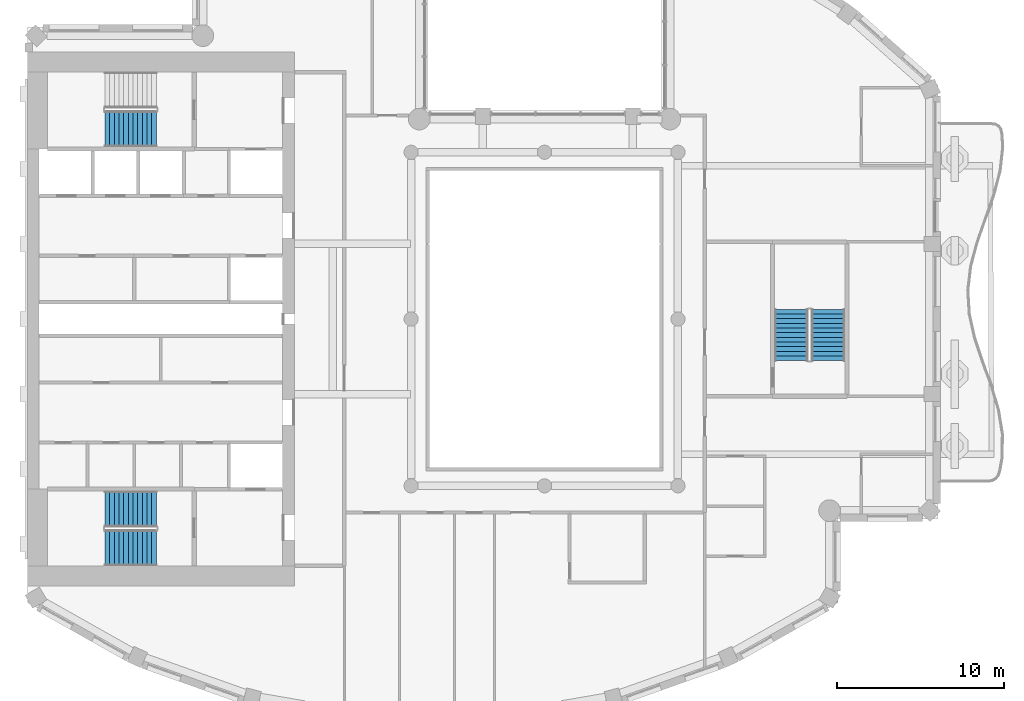
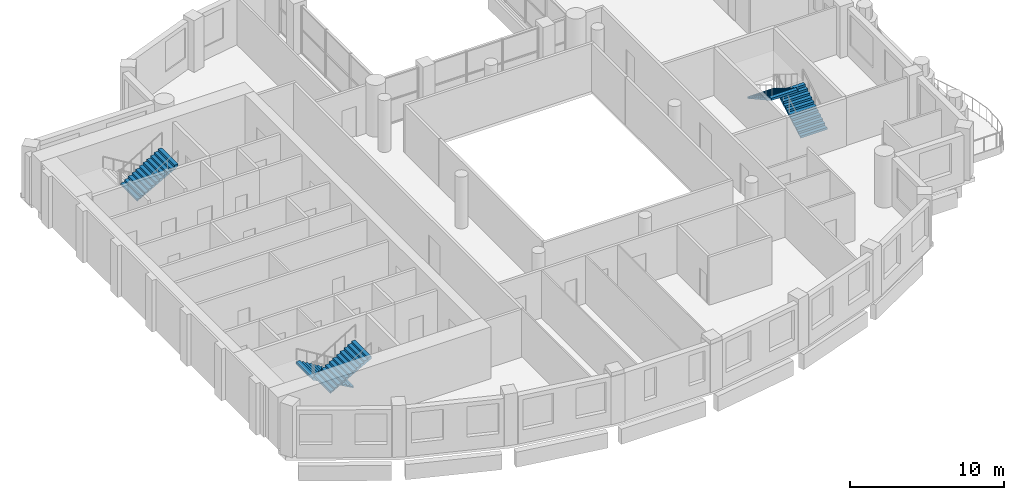
# One storey, part 9 of 15: 5 stair flights, 3 elements without a shape of their own.
"""IFC4 building model written with IfcOpenShell, lengths in metres."""

from ifc_helpers import new_model, si_unit, direction, frame, origin, place, context, subcontext, project, spatial, triangles, material, type_object, element, aggregate, save


model = new_model("IFC4")

# Units and contexts
model_context = context("Model", 3, precision=1e-05, world=origin(), true_north=direction((0.0, 1.0)))
body_context = subcontext(model_context, "Body", "Model", "MODEL_VIEW")
ifc_project = project(units=[si_unit("LENGTHUNIT", "METRE"), si_unit("AREAUNIT", "SQUARE_METRE"), si_unit("VOLUMEUNIT", "CUBIC_METRE"), si_unit("PLANEANGLEUNIT", "RADIAN"), si_unit("MASSUNIT", "GRAM", prefix="KILO")], contexts=[model_context])

# Site, building, storey
site_placement = place(None, origin())
site = spatial("IfcSite", under=ifc_project, at=site_placement, CompositionType="ELEMENT")
building_placement = place(site_placement, origin())
building = spatial("IfcBuilding", under=site, at=building_placement, Name="Cypress Arch Tower", CompositionType="ELEMENT")
storey_placement = place(building_placement, frame((0.0, 0.0, 292.60009765625)))
storey = spatial("IfcBuildingStorey", under=building, at=storey_placement, Name="L66", CompositionType="ELEMENT", Elevation=292.60009765625)

# Stair, stair flights
ifc_material_1 = material(Name="Concrete C40/50", Category="concrete")
stair_type_1 = type_object("IfcStairType", Name="Exit stair ES1708-200", PredefinedType="HALF_TURN_STAIR", material=ifc_material_1)
stair_1_placement = place(storey_placement, origin())
stair_1 = element("IfcStair", 1, at=stair_1_placement, inside=storey, type_object=stair_type_1, Name="L66 Exit stair C", PredefinedType="HALF_TURN_STAIR")
ifc_material_2 = material(Name="Concrete C40/50", Category="concrete")
stair_flight_type_1 = type_object("IfcStairFlightType", Name="Exit stair flight ES1708-200", PredefinedType="STRAIGHT", material=ifc_material_2)
stair_flight_1_placement = place(storey_placement, frame((18.0, -2.5, 0.0), z_axis=(0.0, 0.0, 1.0), x_axis=(0.0, 1.0, 0.0)))
stair_flight_1 = element("IfcStairFlight", 2, at=stair_flight_1_placement, type_object=stair_flight_type_1, Name="C flight 1", NumberOfRisers=12, NumberOfTreads=11, PredefinedType="STRAIGHT", RiserHeight=0.170833333, TreadLength=0.28, context=body_context, shape_type="Tessellation", body=[
    triangles([(0.0, -1.0, 0.0), (0.0, -1.0, 0.1708984375), (0.280029296875, -1.0, 0.1708984375), (0.280029296875, -1.0, 0.341552734375), (0.56005859375, -1.0, 0.341552734375), (0.56005859375, -1.0, 0.512451171875), (0.840087890625, -1.0, 0.512451171875), (0.840087890625, -1.0, 0.683349609375), (1.1201171875, -1.0, 0.683349609375), (1.1201171875, -1.0, 0.854248046875), (1.39990234375, -1.0, 0.854248046875), (1.39990234375, -1.0, 1.02490234375), (1.679931640625, -1.0, 1.02490234375), (1.679931640625, -1.0, 1.19580078125), (1.9599609375, -1.0, 1.19580078125), (1.9599609375, -1.0, 1.36669921875), (2.239990234375, -1.0, 1.36669921875), (2.239990234375, -1.0, 1.53759765625), (2.52001953125, -1.0, 1.53759765625), (2.52001953125, -1.0, 1.708251953125), (2.800048828125, -1.0, 1.708251953125), (2.800048828125, -1.0, 1.879150390625), (3.080078125, -1.0, 1.879150390625), (3.080078125, -1.0, 1.70361328125), (3.080078125, 1.0, 1.70361328125), (3.080078125, 1.0, 1.879150390625), (2.800048828125, 1.0, 1.879150390625), (2.800048828125, 1.0, 1.708251953125), (2.52001953125, 1.0, 1.708251953125), (2.52001953125, 1.0, 1.53759765625), (2.239990234375, 1.0, 1.53759765625), (2.239990234375, 1.0, 1.36669921875), (1.9599609375, 1.0, 1.36669921875), (1.9599609375, 1.0, 1.19580078125), (1.679931640625, 1.0, 1.19580078125), (1.679931640625, 1.0, 1.02490234375), (1.39990234375, 1.0, 1.02490234375), (1.39990234375, 1.0, 0.854248046875), (1.1201171875, 1.0, 0.854248046875), (1.1201171875, 1.0, 0.683349609375), (0.840087890625, 1.0, 0.683349609375), (0.840087890625, 1.0, 0.512451171875), (0.56005859375, 1.0, 0.512451171875), (0.56005859375, 1.0, 0.341552734375), (0.280029296875, 1.0, 0.341552734375), (0.280029296875, 1.0, 0.1708984375), (0.0, 1.0, 0.1708984375), (0.0, 1.0, 0.0), (3.080078125, 0.0, 1.879150390625), (3.080078125, 0.0, 1.70361328125), (2.800048828125, 0.0, 1.879150390625), (2.800048828125, 0.0, 1.708251953125), (2.52001953125, 0.0, 1.708251953125), (2.52001953125, 0.0, 1.53759765625), (2.239990234375, 0.0, 1.53759765625), (2.239990234375, 0.0, 1.36669921875), (1.9599609375, 0.0, 1.36669921875), (1.9599609375, 0.0, 1.19580078125), (1.679931640625, 0.0, 1.19580078125), (1.679931640625, 0.0, 1.02490234375), (1.39990234375, 0.0, 1.02490234375), (1.39990234375, 0.0, 0.854248046875), (1.1201171875, 0.0, 0.854248046875), (1.1201171875, 0.0, 0.683349609375), (0.840087890625, 0.0, 0.683349609375), (0.840087890625, 0.0, 0.512451171875), (0.56005859375, 0.0, 0.512451171875), (0.56005859375, 0.0, 0.341552734375), (0.280029296875, 0.0, 0.341552734375), (0.280029296875, 0.0, 0.1708984375), (0.0, 0.0, 0.1708984375), (0.0, 0.0, 0.0)], [[24, 23, 22], [11, 10, 9], [19, 18, 17], [17, 16, 15], [15, 14, 13], [9, 8, 7], [7, 6, 5], [3, 2, 1], [21, 20, 19], [13, 12, 11], [5, 4, 3], [24, 22, 21], [24, 21, 19], [24, 19, 17], [24, 17, 15], [24, 15, 13], [24, 13, 11], [24, 11, 9], [24, 9, 7], [24, 7, 5], [1, 24, 5], [5, 3, 1], [25, 27, 26], [38, 40, 39], [30, 32, 31], [32, 34, 33], [34, 36, 35], [40, 42, 41], [42, 44, 43], [46, 48, 47], [28, 30, 29], [36, 38, 37], [44, 46, 45], [25, 28, 27], [25, 30, 28], [25, 32, 30], [25, 34, 32], [25, 36, 34], [25, 38, 36], [25, 40, 38], [25, 42, 40], [25, 44, 42], [48, 44, 25], [44, 48, 46], [50, 49, 23], [50, 23, 24], [25, 26, 49], [25, 49, 50], [49, 51, 22], [49, 22, 23], [26, 27, 51], [26, 51, 49], [51, 52, 21], [51, 21, 22], [27, 28, 52], [27, 52, 51], [52, 53, 20], [52, 20, 21], [28, 29, 53], [28, 53, 52], [53, 54, 19], [53, 19, 20], [29, 30, 54], [29, 54, 53], [54, 55, 18], [54, 18, 19], [30, 31, 55], [30, 55, 54], [55, 56, 17], [55, 17, 18], [31, 32, 56], [31, 56, 55], [56, 57, 16], [56, 16, 17], [32, 33, 57], [32, 57, 56], [57, 58, 15], [57, 15, 16], [33, 34, 58], [33, 58, 57], [58, 59, 14], [58, 14, 15], [34, 35, 59], [34, 59, 58], [59, 60, 13], [59, 13, 14], [35, 36, 60], [35, 60, 59], [60, 61, 12], [60, 12, 13], [36, 37, 61], [36, 61, 60], [61, 62, 11], [61, 11, 12], [37, 38, 62], [37, 62, 61], [62, 63, 10], [62, 10, 11], [38, 39, 63], [38, 63, 62], [63, 64, 9], [63, 9, 10], [39, 40, 64], [39, 64, 63], [64, 65, 8], [64, 8, 9], [40, 41, 65], [40, 65, 64], [65, 66, 7], [65, 7, 8], [41, 42, 66], [41, 66, 65], [66, 67, 6], [66, 6, 7], [42, 43, 67], [42, 67, 66], [67, 68, 5], [67, 5, 6], [43, 44, 68], [43, 68, 67], [68, 69, 4], [68, 4, 5], [44, 45, 69], [44, 69, 68], [69, 70, 3], [69, 3, 4], [45, 46, 70], [45, 70, 69], [70, 71, 2], [70, 2, 3], [46, 47, 71], [46, 71, 70], [71, 72, 1], [71, 1, 2], [47, 48, 72], [47, 72, 71], [72, 50, 24], [72, 24, 1], [48, 25, 50], [48, 50, 72]], closed=True),
])
stair_flight_2_placement = place(storey_placement, frame((15.800048828125, 0.580078125, 2.0498046875), z_axis=(0.0, 0.0, 1.0), x_axis=(0.0, -1.0, 0.0)))
stair_flight_2 = element("IfcStairFlight", 3, at=stair_flight_2_placement, type_object=stair_flight_type_1, Name="C flight 2", NumberOfRisers=12, NumberOfTreads=11, PredefinedType="STRAIGHT", RiserHeight=0.170833333, TreadLength=0.28, context=body_context, shape_type="Tessellation", body=[
    triangles([(0.0, -1.0, 0.0), (0.0, -1.0, 0.1708984375), (0.280029296875, -1.0, 0.1708984375), (0.280029296875, -1.0, 0.341552734375), (0.56005859375, -1.0, 0.341552734375), (0.56005859375, -1.0, 0.512451171875), (0.840087890625, -1.0, 0.512451171875), (0.840087890625, -1.0, 0.683349609375), (1.1201171875, -1.0, 0.683349609375), (1.1201171875, -1.0, 0.854248046875), (1.39990234375, -1.0, 0.854248046875), (1.39990234375, -1.0, 1.02490234375), (1.679931640625, -1.0, 1.02490234375), (1.679931640625, -1.0, 1.19580078125), (1.9599609375, -1.0, 1.19580078125), (1.9599609375, -1.0, 1.36669921875), (2.239990234375, -1.0, 1.36669921875), (2.239990234375, -1.0, 1.53759765625), (2.52001953125, -1.0, 1.53759765625), (2.52001953125, -1.0, 1.708251953125), (2.800048828125, -1.0, 1.708251953125), (2.800048828125, -1.0, 1.879150390625), (3.080078125, -1.0, 1.879150390625), (3.080078125, -1.0, 1.70361328125), (3.080078125, 1.0, 1.70361328125), (3.080078125, 1.0, 1.879150390625), (2.800048828125, 1.0, 1.879150390625), (2.800048828125, 1.0, 1.708251953125), (2.52001953125, 1.0, 1.708251953125), (2.52001953125, 1.0, 1.53759765625), (2.239990234375, 1.0, 1.53759765625), (2.239990234375, 1.0, 1.36669921875), (1.9599609375, 1.0, 1.36669921875), (1.9599609375, 1.0, 1.19580078125), (1.679931640625, 1.0, 1.19580078125), (1.679931640625, 1.0, 1.02490234375), (1.39990234375, 1.0, 1.02490234375), (1.39990234375, 1.0, 0.854248046875), (1.1201171875, 1.0, 0.854248046875), (1.1201171875, 1.0, 0.683349609375), (0.840087890625, 1.0, 0.683349609375), (0.840087890625, 1.0, 0.512451171875), (0.56005859375, 1.0, 0.512451171875), (0.56005859375, 1.0, 0.341552734375), (0.280029296875, 1.0, 0.341552734375), (0.280029296875, 1.0, 0.1708984375), (0.0, 1.0, 0.1708984375), (0.0, 1.0, 0.0), (3.080078125, 0.0, 1.879150390625), (3.080078125, 0.0, 1.70361328125), (2.800048828125, 0.0, 1.879150390625), (2.800048828125, 0.0, 1.708251953125), (2.52001953125, 0.0, 1.708251953125), (2.52001953125, 0.0, 1.53759765625), (2.239990234375, 0.0, 1.53759765625), (2.239990234375, 0.0, 1.36669921875), (1.9599609375, 0.0, 1.36669921875), (1.9599609375, 0.0, 1.19580078125), (1.679931640625, 0.0, 1.19580078125), (1.679931640625, 0.0, 1.02490234375), (1.39990234375, 0.0, 1.02490234375), (1.39990234375, 0.0, 0.854248046875), (1.1201171875, 0.0, 0.854248046875), (1.1201171875, 0.0, 0.683349609375), (0.840087890625, 0.0, 0.683349609375), (0.840087890625, 0.0, 0.512451171875), (0.56005859375, 0.0, 0.512451171875), (0.56005859375, 0.0, 0.341552734375), (0.280029296875, 0.0, 0.341552734375), (0.280029296875, 0.0, 0.1708984375), (0.0, 0.0, 0.1708984375), (0.0, 0.0, 0.0)], [[24, 23, 22], [11, 10, 9], [19, 18, 17], [17, 16, 15], [15, 14, 13], [9, 8, 7], [7, 6, 5], [3, 2, 1], [21, 20, 19], [13, 12, 11], [5, 4, 3], [24, 22, 21], [24, 21, 19], [24, 19, 17], [24, 17, 15], [24, 15, 13], [24, 13, 11], [24, 11, 9], [24, 9, 7], [24, 7, 5], [1, 24, 5], [5, 3, 1], [25, 27, 26], [38, 40, 39], [30, 32, 31], [32, 34, 33], [34, 36, 35], [40, 42, 41], [42, 44, 43], [46, 48, 47], [28, 30, 29], [36, 38, 37], [44, 46, 45], [25, 28, 27], [25, 30, 28], [25, 32, 30], [25, 34, 32], [25, 36, 34], [25, 38, 36], [25, 40, 38], [25, 42, 40], [25, 44, 42], [48, 44, 25], [44, 48, 46], [50, 49, 23], [50, 23, 24], [25, 26, 49], [25, 49, 50], [49, 51, 22], [49, 22, 23], [26, 27, 51], [26, 51, 49], [51, 52, 21], [51, 21, 22], [27, 28, 52], [27, 52, 51], [52, 53, 20], [52, 20, 21], [28, 29, 53], [28, 53, 52], [53, 54, 19], [53, 19, 20], [29, 30, 54], [29, 54, 53], [54, 55, 18], [54, 18, 19], [30, 31, 55], [30, 55, 54], [55, 56, 17], [55, 17, 18], [31, 32, 56], [31, 56, 55], [56, 57, 16], [56, 16, 17], [32, 33, 57], [32, 57, 56], [57, 58, 15], [57, 15, 16], [33, 34, 58], [33, 58, 57], [58, 59, 14], [58, 14, 15], [34, 35, 59], [34, 59, 58], [59, 60, 13], [59, 13, 14], [35, 36, 60], [35, 60, 59], [60, 61, 12], [60, 12, 13], [36, 37, 61], [36, 61, 60], [61, 62, 11], [61, 11, 12], [37, 38, 62], [37, 62, 61], [62, 63, 10], [62, 10, 11], [38, 39, 63], [38, 63, 62], [63, 64, 9], [63, 9, 10], [39, 40, 64], [39, 64, 63], [64, 65, 8], [64, 8, 9], [40, 41, 65], [40, 65, 64], [65, 66, 7], [65, 7, 8], [41, 42, 66], [41, 66, 65], [66, 67, 6], [66, 6, 7], [42, 43, 67], [42, 67, 66], [67, 68, 5], [67, 5, 6], [43, 44, 68], [43, 68, 67], [68, 69, 4], [68, 4, 5], [44, 45, 69], [44, 69, 68], [69, 70, 3], [69, 3, 4], [45, 46, 70], [45, 70, 69], [70, 71, 2], [70, 2, 3], [46, 47, 71], [46, 71, 70], [71, 72, 1], [71, 1, 2], [47, 48, 72], [47, 72, 71], [72, 50, 24], [72, 24, 1], [48, 25, 50], [48, 50, 72]], closed=True),
])
aggregate(stair_1, [stair_flight_1, stair_flight_2])

ifc_material_3 = material(Name="Concrete C40/50", Category="concrete")
stair_type_2 = type_object("IfcStairType", Name="Exit stair ES1708-215", PredefinedType="HALF_TURN_STAIR", material=ifc_material_3)
stair_2_placement = place(storey_placement, origin())
stair_2 = element("IfcStair", 4, at=stair_2_placement, inside=storey, type_object=stair_type_2, Name="L66 Exit stair A", PredefinedType="HALF_TURN_STAIR")
ifc_material_4 = material(Name="Concrete C40/50", Category="concrete")
stair_flight_type_2 = type_object("IfcStairFlightType", Name="Exit stair flight ES1708-215", PredefinedType="STRAIGHT", material=ifc_material_4)
stair_flight_3_placement = place(storey_placement, frame((-22.27490234375, -11.39990234375, 0.0), z_axis=(0.0, 0.0, 1.0), x_axis=(-1.0, 0.0, 0.0)))
stair_flight_3 = element("IfcStairFlight", 5, at=stair_flight_3_placement, type_object=stair_flight_type_2, Name="A flight 1", NumberOfRisers=12, NumberOfTreads=11, PredefinedType="STRAIGHT", RiserHeight=0.170833333, TreadLength=0.28, context=body_context, shape_type="Tessellation", body=[
    triangles([(0.0, -1.074951171875, 0.0), (0.000244140625, -1.074951171875, 0.01904296875), (0.000244140625, -1.074951171875, 0.0380859375), (0.00048828125, -1.074951171875, 0.056884765625), (0.00048828125, -1.074951171875, 0.075927734375), (0.00048828125, -1.074951171875, 0.094970703125), (0.00048828125, -1.074951171875, 0.114013671875), (0.000244140625, -1.074951171875, 0.1328125), (0.000244140625, -1.074951171875, 0.15185546875), (0.0, -1.074951171875, 0.1708984375), (0.280029296875, -1.074951171875, 0.1708984375), (0.280029296875, -1.074951171875, 0.341552734375), (0.56005859375, -1.074951171875, 0.341552734375), (0.56005859375, -1.074951171875, 0.512451171875), (0.840087890625, -1.074951171875, 0.512451171875), (0.840087890625, -1.074951171875, 0.683349609375), (1.1201171875, -1.074951171875, 0.683349609375), (1.1201171875, -1.074951171875, 0.854248046875), (1.39990234375, -1.074951171875, 0.854248046875), (1.39990234375, -1.074951171875, 1.02490234375), (1.679931640625, -1.074951171875, 1.02490234375), (1.679931640625, -1.074951171875, 1.19580078125), (1.9599609375, -1.074951171875, 1.19580078125), (1.9599609375, -1.074951171875, 1.36669921875), (2.239990234375, -1.074951171875, 1.36669921875), (2.239990234375, -1.074951171875, 1.53759765625), (2.52001953125, -1.074951171875, 1.53759765625), (2.52001953125, -1.074951171875, 1.708251953125), (2.800048828125, -1.074951171875, 1.708251953125), (2.800048828125, -1.074951171875, 1.879150390625), (3.080078125, -1.074951171875, 1.879150390625), (3.079833984375, -1.074951171875, 1.859619140625), (3.079833984375, -1.074951171875, 1.840087890625), (3.07958984375, -1.074951171875, 1.820556640625), (3.07958984375, -1.074951171875, 1.801025390625), (3.07958984375, -1.074951171875, 1.78173828125), (3.07958984375, -1.074951171875, 1.76220703125), (3.079833984375, -1.074951171875, 1.74267578125), (3.079833984375, -1.074951171875, 1.72314453125), (3.080078125, -1.074951171875, 1.70361328125), (3.080078125, 1.074951171875, 1.70361328125), (3.079833984375, 1.074951171875, 1.72314453125), (3.079833984375, 1.074951171875, 1.74267578125), (3.07958984375, 1.074951171875, 1.76220703125), (3.07958984375, 1.074951171875, 1.78173828125), (3.07958984375, 1.074951171875, 1.801025390625), (3.07958984375, 1.074951171875, 1.820556640625), (3.079833984375, 1.074951171875, 1.840087890625), (3.079833984375, 1.074951171875, 1.859619140625), (3.080078125, 1.074951171875, 1.879150390625), (2.800048828125, 1.074951171875, 1.879150390625), (2.800048828125, 1.074951171875, 1.708251953125), (2.52001953125, 1.074951171875, 1.708251953125), (2.52001953125, 1.074951171875, 1.53759765625), (2.239990234375, 1.074951171875, 1.53759765625), (2.239990234375, 1.074951171875, 1.36669921875), (1.9599609375, 1.074951171875, 1.36669921875), (1.9599609375, 1.074951171875, 1.19580078125), (1.679931640625, 1.074951171875, 1.19580078125), (1.679931640625, 1.074951171875, 1.02490234375), (1.39990234375, 1.074951171875, 1.02490234375), (1.39990234375, 1.074951171875, 0.854248046875), (1.1201171875, 1.074951171875, 0.854248046875), (1.1201171875, 1.074951171875, 0.683349609375), (0.840087890625, 1.074951171875, 0.683349609375), (0.840087890625, 1.074951171875, 0.512451171875), (0.56005859375, 1.074951171875, 0.512451171875), (0.56005859375, 1.074951171875, 0.341552734375), (0.280029296875, 1.074951171875, 0.341552734375), (0.280029296875, 1.074951171875, 0.1708984375), (0.0, 1.074951171875, 0.1708984375), (0.000244140625, 1.074951171875, 0.15185546875), (0.000244140625, 1.074951171875, 0.1328125), (0.00048828125, 1.074951171875, 0.114013671875), (0.00048828125, 1.074951171875, 0.094970703125), (0.00048828125, 1.074951171875, 0.075927734375), (0.00048828125, 1.074951171875, 0.056884765625), (0.000244140625, 1.074951171875, 0.0380859375), (0.000244140625, 1.074951171875, 0.01904296875), (0.0, 1.074951171875, 0.0)], [[40, 39, 30], [39, 38, 30], [38, 37, 30], [37, 36, 30], [36, 35, 30], [35, 34, 30], [34, 33, 30], [33, 32, 30], [32, 31, 30], [19, 18, 17], [27, 26, 25], [25, 24, 23], [23, 22, 21], [17, 16, 15], [15, 14, 13], [10, 9, 11], [9, 8, 11], [8, 7, 11], [7, 6, 11], [6, 5, 11], [5, 4, 11], [4, 3, 11], [3, 2, 11], [2, 1, 11], [29, 28, 27], [21, 20, 19], [13, 12, 11], [40, 30, 29], [40, 29, 27], [40, 27, 25], [40, 25, 23], [40, 23, 21], [40, 21, 19], [40, 19, 17], [40, 17, 15], [40, 15, 13], [1, 40, 13], [13, 11, 1], [41, 51, 42], [42, 51, 43], [43, 51, 44], [44, 51, 45], [45, 51, 46], [46, 51, 47], [47, 51, 48], [48, 51, 49], [49, 51, 50], [62, 64, 63], [54, 56, 55], [56, 58, 57], [58, 60, 59], [64, 66, 65], [66, 68, 67], [71, 70, 72], [72, 70, 73], [73, 70, 74], [74, 70, 75], [75, 70, 76], [76, 70, 77], [77, 70, 78], [78, 70, 79], [79, 70, 80], [52, 54, 53], [60, 62, 61], [68, 70, 69], [41, 52, 51], [41, 54, 52], [41, 56, 54], [41, 58, 56], [41, 60, 58], [41, 62, 60], [41, 64, 62], [41, 66, 64], [41, 68, 66], [80, 68, 41], [68, 80, 70], [41, 42, 39], [41, 39, 40], [42, 43, 38], [42, 38, 39], [43, 44, 37], [43, 37, 38], [44, 45, 36], [44, 36, 37], [45, 46, 35], [45, 35, 36], [46, 47, 34], [46, 34, 35], [47, 48, 33], [47, 33, 34], [48, 49, 32], [48, 32, 33], [49, 50, 31], [49, 31, 32], [50, 51, 30], [50, 30, 31], [51, 52, 29], [51, 29, 30], [52, 53, 28], [52, 28, 29], [53, 54, 27], [53, 27, 28], [54, 55, 26], [54, 26, 27], [55, 56, 25], [55, 25, 26], [56, 57, 24], [56, 24, 25], [57, 58, 23], [57, 23, 24], [58, 59, 22], [58, 22, 23], [59, 60, 21], [59, 21, 22], [60, 61, 20], [60, 20, 21], [61, 62, 19], [61, 19, 20], [62, 63, 18], [62, 18, 19], [63, 64, 17], [63, 17, 18], [64, 65, 16], [64, 16, 17], [65, 66, 15], [65, 15, 16], [66, 67, 14], [66, 14, 15], [67, 68, 13], [67, 13, 14], [68, 69, 12], [68, 12, 13], [69, 70, 11], [69, 11, 12], [70, 71, 10], [70, 10, 11], [71, 72, 9], [71, 9, 10], [72, 73, 8], [72, 8, 9], [73, 74, 7], [73, 7, 8], [74, 75, 6], [74, 6, 7], [75, 76, 5], [75, 5, 6], [76, 77, 4], [76, 4, 5], [77, 78, 3], [77, 3, 4], [78, 79, 2], [78, 2, 3], [79, 80, 1], [79, 1, 2], [80, 41, 40], [80, 40, 1]], closed=True),
])
stair_flight_4_placement = place(storey_placement, frame((-25.35498046875, -13.72509765625, 2.0498046875), z_axis=(0.0, 0.0, 1.0), x_axis=(1.0, 0.0, 0.0)))
stair_flight_4 = element("IfcStairFlight", 6, at=stair_flight_4_placement, type_object=stair_flight_type_2, Name="A flight 2", NumberOfRisers=12, NumberOfTreads=11, PredefinedType="STRAIGHT", RiserHeight=0.170833333, TreadLength=0.28, context=body_context, shape_type="Tessellation", body=[
    triangles([(0.0, -1.074951171875, 0.0), (0.000244140625, -1.074951171875, 0.01904296875), (0.000244140625, -1.074951171875, 0.0380859375), (0.00048828125, -1.074951171875, 0.056884765625), (0.00048828125, -1.074951171875, 0.075927734375), (0.00048828125, -1.074951171875, 0.094970703125), (0.00048828125, -1.074951171875, 0.114013671875), (0.000244140625, -1.074951171875, 0.1328125), (0.000244140625, -1.074951171875, 0.15185546875), (0.0, -1.074951171875, 0.1708984375), (0.280029296875, -1.074951171875, 0.1708984375), (0.280029296875, -1.074951171875, 0.341552734375), (0.56005859375, -1.074951171875, 0.341552734375), (0.56005859375, -1.074951171875, 0.512451171875), (0.840087890625, -1.074951171875, 0.512451171875), (0.840087890625, -1.074951171875, 0.683349609375), (1.1201171875, -1.074951171875, 0.683349609375), (1.1201171875, -1.074951171875, 0.854248046875), (1.39990234375, -1.074951171875, 0.854248046875), (1.39990234375, -1.074951171875, 1.02490234375), (1.679931640625, -1.074951171875, 1.02490234375), (1.679931640625, -1.074951171875, 1.19580078125), (1.9599609375, -1.074951171875, 1.19580078125), (1.9599609375, -1.074951171875, 1.36669921875), (2.239990234375, -1.074951171875, 1.36669921875), (2.239990234375, -1.074951171875, 1.53759765625), (2.52001953125, -1.074951171875, 1.53759765625), (2.52001953125, -1.074951171875, 1.708251953125), (2.800048828125, -1.074951171875, 1.708251953125), (2.800048828125, -1.074951171875, 1.879150390625), (3.080078125, -1.074951171875, 1.879150390625), (3.079833984375, -1.074951171875, 1.859619140625), (3.079833984375, -1.074951171875, 1.840087890625), (3.07958984375, -1.074951171875, 1.820556640625), (3.07958984375, -1.074951171875, 1.801025390625), (3.07958984375, -1.074951171875, 1.78173828125), (3.07958984375, -1.074951171875, 1.76220703125), (3.079833984375, -1.074951171875, 1.74267578125), (3.079833984375, -1.074951171875, 1.72314453125), (3.080078125, -1.074951171875, 1.70361328125), (3.080078125, 1.074951171875, 1.70361328125), (3.079833984375, 1.074951171875, 1.72314453125), (3.079833984375, 1.074951171875, 1.74267578125), (3.07958984375, 1.074951171875, 1.76220703125), (3.07958984375, 1.074951171875, 1.78173828125), (3.07958984375, 1.074951171875, 1.801025390625), (3.07958984375, 1.074951171875, 1.820556640625), (3.079833984375, 1.074951171875, 1.840087890625), (3.079833984375, 1.074951171875, 1.859619140625), (3.080078125, 1.074951171875, 1.879150390625), (2.800048828125, 1.074951171875, 1.879150390625), (2.800048828125, 1.074951171875, 1.708251953125), (2.52001953125, 1.074951171875, 1.708251953125), (2.52001953125, 1.074951171875, 1.53759765625), (2.239990234375, 1.074951171875, 1.53759765625), (2.239990234375, 1.074951171875, 1.36669921875), (1.9599609375, 1.074951171875, 1.36669921875), (1.9599609375, 1.074951171875, 1.19580078125), (1.679931640625, 1.074951171875, 1.19580078125), (1.679931640625, 1.074951171875, 1.02490234375), (1.39990234375, 1.074951171875, 1.02490234375), (1.39990234375, 1.074951171875, 0.854248046875), (1.1201171875, 1.074951171875, 0.854248046875), (1.1201171875, 1.074951171875, 0.683349609375), (0.840087890625, 1.074951171875, 0.683349609375), (0.840087890625, 1.074951171875, 0.512451171875), (0.56005859375, 1.074951171875, 0.512451171875), (0.56005859375, 1.074951171875, 0.341552734375), (0.280029296875, 1.074951171875, 0.341552734375), (0.280029296875, 1.074951171875, 0.1708984375), (0.0, 1.074951171875, 0.1708984375), (0.000244140625, 1.074951171875, 0.15185546875), (0.000244140625, 1.074951171875, 0.1328125), (0.00048828125, 1.074951171875, 0.114013671875), (0.00048828125, 1.074951171875, 0.094970703125), (0.00048828125, 1.074951171875, 0.075927734375), (0.00048828125, 1.074951171875, 0.056884765625), (0.000244140625, 1.074951171875, 0.0380859375), (0.000244140625, 1.074951171875, 0.01904296875), (0.0, 1.074951171875, 0.0)], [[40, 39, 30], [39, 38, 30], [38, 37, 30], [37, 36, 30], [36, 35, 30], [35, 34, 30], [34, 33, 30], [33, 32, 30], [32, 31, 30], [19, 18, 17], [27, 26, 25], [25, 24, 23], [23, 22, 21], [17, 16, 15], [15, 14, 13], [10, 9, 11], [9, 8, 11], [8, 7, 11], [7, 6, 11], [6, 5, 11], [5, 4, 11], [4, 3, 11], [3, 2, 11], [2, 1, 11], [29, 28, 27], [21, 20, 19], [13, 12, 11], [40, 30, 29], [40, 29, 27], [40, 27, 25], [40, 25, 23], [40, 23, 21], [40, 21, 19], [40, 19, 17], [40, 17, 15], [40, 15, 13], [1, 40, 13], [13, 11, 1], [41, 51, 42], [42, 51, 43], [43, 51, 44], [44, 51, 45], [45, 51, 46], [46, 51, 47], [47, 51, 48], [48, 51, 49], [49, 51, 50], [62, 64, 63], [54, 56, 55], [56, 58, 57], [58, 60, 59], [64, 66, 65], [66, 68, 67], [71, 70, 72], [72, 70, 73], [73, 70, 74], [74, 70, 75], [75, 70, 76], [76, 70, 77], [77, 70, 78], [78, 70, 79], [79, 70, 80], [52, 54, 53], [60, 62, 61], [68, 70, 69], [41, 52, 51], [41, 54, 52], [41, 56, 54], [41, 58, 56], [41, 60, 58], [41, 62, 60], [41, 64, 62], [41, 66, 64], [41, 68, 66], [80, 68, 41], [68, 80, 70], [41, 42, 39], [41, 39, 40], [42, 43, 38], [42, 38, 39], [43, 44, 37], [43, 37, 38], [44, 45, 36], [44, 36, 37], [45, 46, 35], [45, 35, 36], [46, 47, 34], [46, 34, 35], [47, 48, 33], [47, 33, 34], [48, 49, 32], [48, 32, 33], [49, 50, 31], [49, 31, 32], [50, 51, 30], [50, 30, 31], [51, 52, 29], [51, 29, 30], [52, 53, 28], [52, 28, 29], [53, 54, 27], [53, 27, 28], [54, 55, 26], [54, 26, 27], [55, 56, 25], [55, 25, 26], [56, 57, 24], [56, 24, 25], [57, 58, 23], [57, 23, 24], [58, 59, 22], [58, 22, 23], [59, 60, 21], [59, 21, 22], [60, 61, 20], [60, 20, 21], [61, 62, 19], [61, 19, 20], [62, 63, 18], [62, 18, 19], [63, 64, 17], [63, 17, 18], [64, 65, 16], [64, 16, 17], [65, 66, 15], [65, 15, 16], [66, 67, 14], [66, 14, 15], [67, 68, 13], [67, 13, 14], [68, 69, 12], [68, 12, 13], [69, 70, 11], [69, 11, 12], [70, 71, 10], [70, 10, 11], [71, 72, 9], [71, 9, 10], [72, 73, 8], [72, 8, 9], [73, 74, 7], [73, 7, 8], [74, 75, 6], [74, 6, 7], [75, 76, 5], [75, 5, 6], [76, 77, 4], [76, 4, 5], [77, 78, 3], [77, 3, 4], [78, 79, 2], [78, 2, 3], [79, 80, 1], [79, 1, 2], [80, 41, 40], [80, 40, 1]], closed=True),
])
aggregate(stair_2, [stair_flight_3, stair_flight_4])

# Stair, stair flight
stair_3_placement = place(storey_placement, origin())
stair_3 = element("IfcStair", 7, at=stair_3_placement, inside=storey, type_object=stair_type_2, Name="L66 Exit stair B", PredefinedType="HALF_TURN_STAIR")
stair_flight_5_placement = place(storey_placement, frame((-25.35498046875, 11.39990234375, 2.0498046875), z_axis=(0.0, 0.0, 1.0), x_axis=(1.0, 0.0, 0.0)))
stair_flight_5 = element("IfcStairFlight", 8, at=stair_flight_5_placement, type_object=stair_flight_type_2, Name="B flight 2", NumberOfRisers=12, NumberOfTreads=11, PredefinedType="STRAIGHT", RiserHeight=0.170833333, TreadLength=0.28, context=body_context, shape_type="Tessellation", body=[
    triangles([(0.0, -1.074951171875, 0.0), (0.000244140625, -1.074951171875, 0.01904296875), (0.000244140625, -1.074951171875, 0.0380859375), (0.00048828125, -1.074951171875, 0.056884765625), (0.00048828125, -1.074951171875, 0.075927734375), (0.00048828125, -1.074951171875, 0.094970703125), (0.00048828125, -1.074951171875, 0.114013671875), (0.000244140625, -1.074951171875, 0.1328125), (0.000244140625, -1.074951171875, 0.15185546875), (0.0, -1.074951171875, 0.1708984375), (0.280029296875, -1.074951171875, 0.1708984375), (0.280029296875, -1.074951171875, 0.341552734375), (0.56005859375, -1.074951171875, 0.341552734375), (0.56005859375, -1.074951171875, 0.512451171875), (0.840087890625, -1.074951171875, 0.512451171875), (0.840087890625, -1.074951171875, 0.683349609375), (1.1201171875, -1.074951171875, 0.683349609375), (1.1201171875, -1.074951171875, 0.854248046875), (1.39990234375, -1.074951171875, 0.854248046875), (1.39990234375, -1.074951171875, 1.02490234375), (1.679931640625, -1.074951171875, 1.02490234375), (1.679931640625, -1.074951171875, 1.19580078125), (1.9599609375, -1.074951171875, 1.19580078125), (1.9599609375, -1.074951171875, 1.36669921875), (2.239990234375, -1.074951171875, 1.36669921875), (2.239990234375, -1.074951171875, 1.53759765625), (2.52001953125, -1.074951171875, 1.53759765625), (2.52001953125, -1.074951171875, 1.708251953125), (2.800048828125, -1.074951171875, 1.708251953125), (2.800048828125, -1.074951171875, 1.879150390625), (3.080078125, -1.074951171875, 1.879150390625), (3.079833984375, -1.074951171875, 1.859619140625), (3.079833984375, -1.074951171875, 1.840087890625), (3.07958984375, -1.074951171875, 1.820556640625), (3.07958984375, -1.074951171875, 1.801025390625), (3.07958984375, -1.074951171875, 1.78173828125), (3.07958984375, -1.074951171875, 1.76220703125), (3.079833984375, -1.074951171875, 1.74267578125), (3.079833984375, -1.074951171875, 1.72314453125), (3.080078125, -1.074951171875, 1.70361328125), (3.080078125, 1.074951171875, 1.70361328125), (3.079833984375, 1.074951171875, 1.72314453125), (3.079833984375, 1.074951171875, 1.74267578125), (3.07958984375, 1.074951171875, 1.76220703125), (3.07958984375, 1.074951171875, 1.78173828125), (3.07958984375, 1.074951171875, 1.801025390625), (3.07958984375, 1.074951171875, 1.820556640625), (3.079833984375, 1.074951171875, 1.840087890625), (3.079833984375, 1.074951171875, 1.859619140625), (3.080078125, 1.074951171875, 1.879150390625), (2.800048828125, 1.074951171875, 1.879150390625), (2.800048828125, 1.074951171875, 1.708251953125), (2.52001953125, 1.074951171875, 1.708251953125), (2.52001953125, 1.074951171875, 1.53759765625), (2.239990234375, 1.074951171875, 1.53759765625), (2.239990234375, 1.074951171875, 1.36669921875), (1.9599609375, 1.074951171875, 1.36669921875), (1.9599609375, 1.074951171875, 1.19580078125), (1.679931640625, 1.074951171875, 1.19580078125), (1.679931640625, 1.074951171875, 1.02490234375), (1.39990234375, 1.074951171875, 1.02490234375), (1.39990234375, 1.074951171875, 0.854248046875), (1.1201171875, 1.074951171875, 0.854248046875), (1.1201171875, 1.074951171875, 0.683349609375), (0.840087890625, 1.074951171875, 0.683349609375), (0.840087890625, 1.074951171875, 0.512451171875), (0.56005859375, 1.074951171875, 0.512451171875), (0.56005859375, 1.074951171875, 0.341552734375), (0.280029296875, 1.074951171875, 0.341552734375), (0.280029296875, 1.074951171875, 0.1708984375), (0.0, 1.074951171875, 0.1708984375), (0.000244140625, 1.074951171875, 0.15185546875), (0.000244140625, 1.074951171875, 0.1328125), (0.00048828125, 1.074951171875, 0.114013671875), (0.00048828125, 1.074951171875, 0.094970703125), (0.00048828125, 1.074951171875, 0.075927734375), (0.00048828125, 1.074951171875, 0.056884765625), (0.000244140625, 1.074951171875, 0.0380859375), (0.000244140625, 1.074951171875, 0.01904296875), (0.0, 1.074951171875, 0.0)], [[40, 39, 30], [39, 38, 30], [38, 37, 30], [37, 36, 30], [36, 35, 30], [35, 34, 30], [34, 33, 30], [33, 32, 30], [32, 31, 30], [19, 18, 17], [27, 26, 25], [25, 24, 23], [23, 22, 21], [17, 16, 15], [15, 14, 13], [10, 9, 11], [9, 8, 11], [8, 7, 11], [7, 6, 11], [6, 5, 11], [5, 4, 11], [4, 3, 11], [3, 2, 11], [2, 1, 11], [29, 28, 27], [21, 20, 19], [13, 12, 11], [40, 30, 29], [40, 29, 27], [40, 27, 25], [40, 25, 23], [40, 23, 21], [40, 21, 19], [40, 19, 17], [40, 17, 15], [40, 15, 13], [1, 40, 13], [13, 11, 1], [41, 51, 42], [42, 51, 43], [43, 51, 44], [44, 51, 45], [45, 51, 46], [46, 51, 47], [47, 51, 48], [48, 51, 49], [49, 51, 50], [62, 64, 63], [54, 56, 55], [56, 58, 57], [58, 60, 59], [64, 66, 65], [66, 68, 67], [71, 70, 72], [72, 70, 73], [73, 70, 74], [74, 70, 75], [75, 70, 76], [76, 70, 77], [77, 70, 78], [78, 70, 79], [79, 70, 80], [52, 54, 53], [60, 62, 61], [68, 70, 69], [41, 52, 51], [41, 54, 52], [41, 56, 54], [41, 58, 56], [41, 60, 58], [41, 62, 60], [41, 64, 62], [41, 66, 64], [41, 68, 66], [80, 68, 41], [68, 80, 70], [41, 42, 39], [41, 39, 40], [42, 43, 38], [42, 38, 39], [43, 44, 37], [43, 37, 38], [44, 45, 36], [44, 36, 37], [45, 46, 35], [45, 35, 36], [46, 47, 34], [46, 34, 35], [47, 48, 33], [47, 33, 34], [48, 49, 32], [48, 32, 33], [49, 50, 31], [49, 31, 32], [50, 51, 30], [50, 30, 31], [51, 52, 29], [51, 29, 30], [52, 53, 28], [52, 28, 29], [53, 54, 27], [53, 27, 28], [54, 55, 26], [54, 26, 27], [55, 56, 25], [55, 25, 26], [56, 57, 24], [56, 24, 25], [57, 58, 23], [57, 23, 24], [58, 59, 22], [58, 22, 23], [59, 60, 21], [59, 21, 22], [60, 61, 20], [60, 20, 21], [61, 62, 19], [61, 19, 20], [62, 63, 18], [62, 18, 19], [63, 64, 17], [63, 17, 18], [64, 65, 16], [64, 16, 17], [65, 66, 15], [65, 15, 16], [66, 67, 14], [66, 14, 15], [67, 68, 13], [67, 13, 14], [68, 69, 12], [68, 12, 13], [69, 70, 11], [69, 11, 12], [70, 71, 10], [70, 10, 11], [71, 72, 9], [71, 9, 10], [72, 73, 8], [72, 8, 9], [73, 74, 7], [73, 7, 8], [74, 75, 6], [74, 6, 7], [75, 76, 5], [75, 5, 6], [76, 77, 4], [76, 4, 5], [77, 78, 3], [77, 3, 4], [78, 79, 2], [78, 2, 3], [79, 80, 1], [79, 1, 2], [80, 41, 40], [80, 40, 1]], closed=True),
])
aggregate(stair_3, [stair_flight_5])

save(model, "model.ifc")
